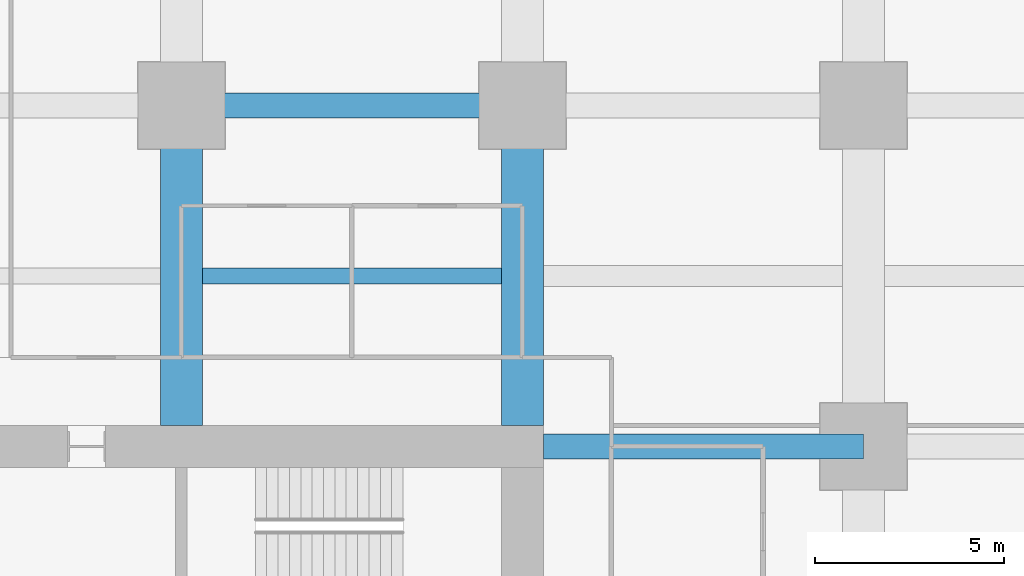
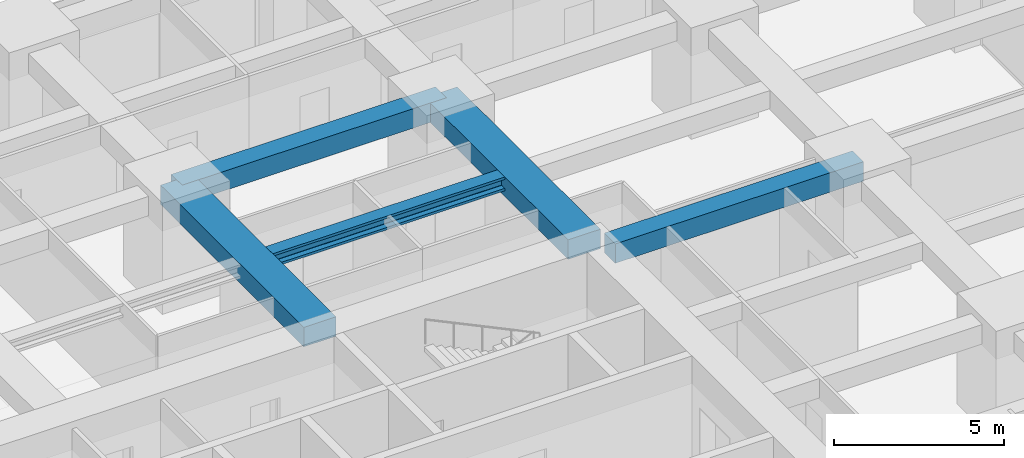
# One storey, part 31 of 44: 5 beams.
"""IFC4 building model written with IfcOpenShell, lengths in metres."""

from ifc_helpers import new_model, si_unit, direction, frame, origin, origin_2d, place, context, subcontext, project, spatial, rectangle, i_section, extrude, material, material_profile, profile_set, type_object, element, save


model = new_model("IFC4")

# Units and contexts
model_context = context("Model", 3, precision=1e-05, world=origin(), true_north=direction((0.0, 1.0)))
body_context = subcontext(model_context, "Body", "Model", "MODEL_VIEW")
ifc_project = project(units=[si_unit("LENGTHUNIT", "METRE"), si_unit("AREAUNIT", "SQUARE_METRE"), si_unit("VOLUMEUNIT", "CUBIC_METRE"), si_unit("PLANEANGLEUNIT", "RADIAN"), si_unit("MASSUNIT", "GRAM", prefix="KILO")], contexts=[model_context])

# Site, building, storey
site_placement = place(None, origin())
site = spatial("IfcSite", under=ifc_project, at=site_placement, CompositionType="ELEMENT")
building_placement = place(site_placement, origin())
building = spatial("IfcBuilding", under=site, at=building_placement, Name="Zorevar Civic Tower", CompositionType="ELEMENT")
storey_placement = place(building_placement, frame((0.0, 0.0, 43.800048828125)))
storey = spatial("IfcBuildingStorey", under=building, at=storey_placement, Name="L10", CompositionType="ELEMENT", Elevation=43.800048828125)

# Beams
ifc_material_1 = material(Name="Concrete C50/60", Category="concrete")
ifc_material_profile_1 = material_profile(ifc_material_1, rectangle(XDim=1.10009765625, YDim=0.699951171875, at=origin_2d()), Name="RC 1100x700")
ifc_profile_set_1 = profile_set([ifc_material_profile_1], Name="Concrete C50/60")
beam_type_1 = type_object("IfcBeamType", Name="Beam RC 1100x700", PredefinedType="BEAM", material=ifc_profile_set_1)
for number, where, z_axis, x_axis, name in (
    (1, (36.0, 36.550048828125, 3.39990234375), (0.0, 1.0, 0.0), (-1.0, 0.0, 0.0), "Girder L11"),
    (2, (45.0, 36.550048828125, 3.39990234375), (0.0, 1.0, 0.0), (-1.0, 0.0, 0.0), "Girder L11"),
):
    element("IfcBeam", number, at=place(storey_placement, frame(where, z_axis=z_axis, x_axis=x_axis)), inside=storey, type_object=beam_type_1, Name=name, PredefinedType="BEAM", context=body_context, shape_type="SweptSolid", body=[
        extrude(rectangle(XDim=1.10009765625, YDim=0.699951171875, at=origin_2d()), origin(), (0.0, 0.0, 1.0), 8.449951171875),
    ])
ifc_material_2 = material(Name="Concrete C50/60", Category="concrete")
ifc_material_profile_2 = material_profile(ifc_material_2, rectangle(XDim=0.64990234375, YDim=0.699951171875, at=origin_2d()), Name="RC 650x700")
ifc_profile_set_2 = profile_set([ifc_material_profile_2], Name="Concrete C50/60")
beam_type_2 = type_object("IfcBeamType", Name="Beam RC 650x700", PredefinedType="BEAM", material=ifc_profile_set_2)
beam_1_placement = place(storey_placement, frame((45.550048828125, 36.0, 3.39990234375), z_axis=(1.0, 0.0, 0.0), x_axis=(0.0, 1.0, 0.0)))
element("IfcBeam", 3, at=beam_1_placement, inside=storey, type_object=beam_type_2, Name="Girder L11", PredefinedType="BEAM", context=body_context, shape_type="SweptSolid", body=[
    extrude(rectangle(XDim=0.64990234375, YDim=0.699951171875, at=origin_2d()), origin(), (0.0, 0.0, 1.0), 8.449951171875),
])
beam_2_placement = place(storey_placement, frame((36.0, 45.0, 3.39990234375), z_axis=(1.0, 0.0, 0.0), x_axis=(0.0, 1.0, 0.0)))
element("IfcBeam", 4, at=beam_2_placement, inside=storey, type_object=beam_type_2, Name="Girder L11", PredefinedType="BEAM", context=body_context, shape_type="SweptSolid", body=[
    extrude(rectangle(XDim=0.64990234375, YDim=0.699951171875, at=origin_2d()), origin(), (0.0, 0.0, 1.0), 9.0),
])
ifc_material_3 = material(Name="Steel S460M (HISTAR 460)", Category="steel")
ifc_material_profile_3 = material_profile(ifc_material_3, i_section(OverallWidth=0.431884765625, OverallDepth=0.498046875, WebThickness=0.0556640625, FlangeThickness=0.0888671875, FilletRadius=0.014892578125, at=origin_2d()), Name="HD 400x744")
ifc_profile_set_3 = profile_set([ifc_material_profile_3], Name="Steel S460M (HISTAR 460)")
beam_type_3 = type_object("IfcBeamType", Name="Core bay beam HD 400x744", PredefinedType="BEAM", material=ifc_profile_set_3)
beam_3_placement = place(storey_placement, frame((36.550048828125, 40.5, 3.5009765625), z_axis=(1.0, 0.0, 0.0), x_axis=(0.0, 1.0, 0.0)))
element("IfcBeam", 5, at=beam_3_placement, inside=storey, type_object=beam_type_3, Name="Secondary beam L11", PredefinedType="BEAM", context=body_context, shape_type="SweptSolid", body=[
    extrude(i_section(OverallWidth=0.431884765625, OverallDepth=0.498046875, WebThickness=0.0556640625, FlangeThickness=0.0888671875, FilletRadius=0.014892578125, at=origin_2d()), origin(), (0.0, 0.0, 1.0), 7.89990234375),
])

save(model, "model.ifc")
